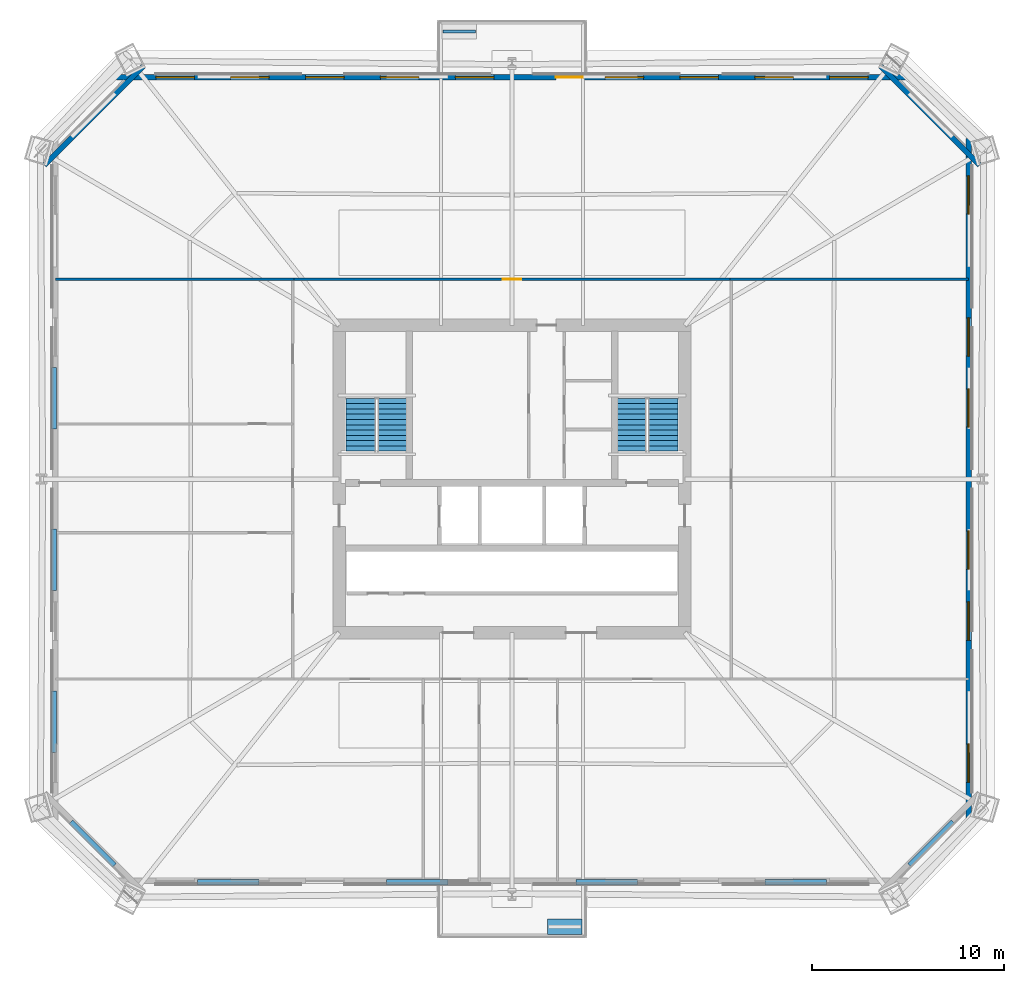
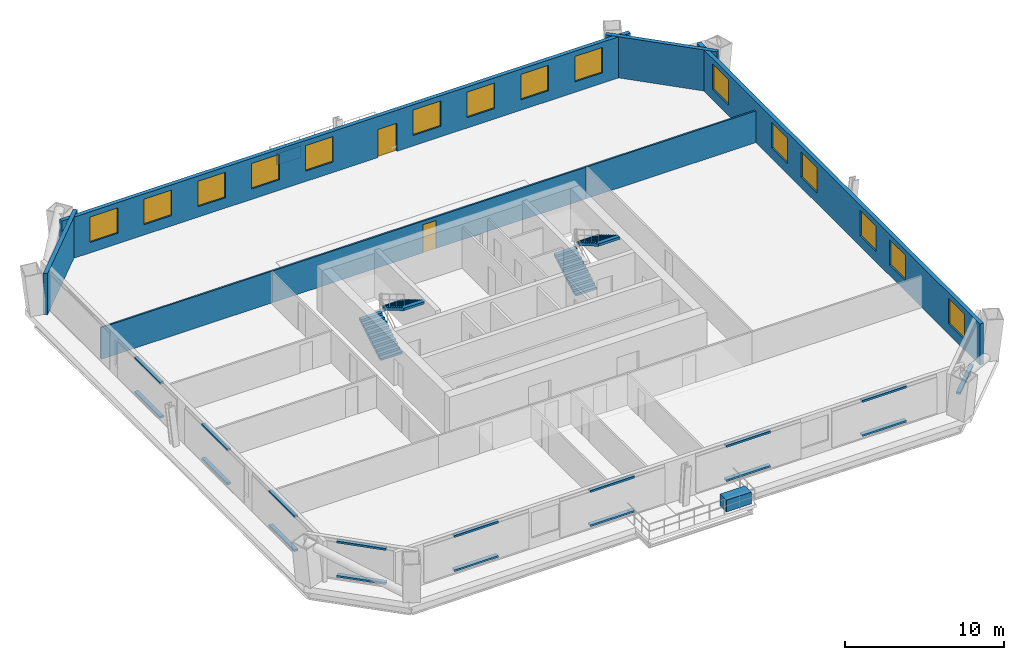
# One storey, part 5 of 8: 18 discrete accessories, 15 windows, 8 walls, 4 stair flights, 2 doors, 17 openings, 2 elements without a shape of their own.
"""IFC4 building model written with IfcOpenShell, lengths in metres."""

from ifc_helpers import new_model, si_unit, direction, frame, frame_2d, origin, origin_2d, place, context, subcontext, project, spatial, polyline, rectangle, outline, extrude, material, layer, layer_set, type_object, element, fill, aggregate, save


model = new_model("IFC4")

# Units and contexts
model_context = context("Model", 3, precision=1e-05, world=origin(), true_north=direction((0.0, 1.0)))
body_context = subcontext(model_context, "Body", "Model", "MODEL_VIEW")
ifc_project = project(units=[si_unit("LENGTHUNIT", "METRE"), si_unit("AREAUNIT", "SQUARE_METRE"), si_unit("VOLUMEUNIT", "CUBIC_METRE"), si_unit("PLANEANGLEUNIT", "RADIAN"), si_unit("MASSUNIT", "GRAM", prefix="KILO")], contexts=[model_context])

# Site, building, storey
site_placement = place(None, origin())
site = spatial("IfcSite", under=ifc_project, at=site_placement, CompositionType="ELEMENT")
building_placement = place(site_placement, origin())
building = spatial("IfcBuilding", under=site, at=building_placement, Name="Caelvoria Tower", CompositionType="ELEMENT")
storey_placement = place(building_placement, frame((0.0, 0.0, 46.0)))
storey = spatial("IfcBuildingStorey", under=building, at=storey_placement, Name="L11", CompositionType="ELEMENT", Elevation=46.0)

# Wall
ifc_material_1 = material(Name="Bronze-Clad Concrete C40/50", Category="concrete")
ifc_layer_1 = layer(ifc_material_1, 0.179931640625, Name="Bronze-Clad Concrete C40/50")
ifc_layer_set_1 = layer_set([ifc_layer_1], Name="Architectural Planter Kerb Wall 180 - Bronze-Clad Concrete C40/50")
wall_type_1 = type_object("IfcWallType", Name="Architectural Planter Kerb Wall 180", PredefinedType="PARAPET", material=ifc_layer_set_1)
wall_1_placement = place(storey_placement, frame((42.39990234375, 55.300048828125, 0.0), z_axis=(0.0, 0.0, 1.0), x_axis=(1.0, 0.0, 0.0)))
element("IfcWall", 1, at=wall_1_placement, inside=storey, type_object=wall_type_1, Name="Tree Balcony Planter Kerb PLANTER TB-L11-N", PredefinedType="PARAPET", context=body_context, shape_type="SweptSolid", body=[
    extrude(rectangle(XDim=1.7001953125, YDim=0.179931640625, at=frame_2d((0.85009765625, 0.0))), origin(), (0.0, 0.0, 1.0), 0.8798828125),
])

# Wall, openings, windows
ifc_material_2 = material(Name="Precast Concrete C40/50 with Bronze Cladding", Category="concrete")
ifc_layer_2 = layer(ifc_material_2, 0.280029296875, Name="Precast Concrete C40/50 with Bronze Cladding")
ifc_layer_set_2 = layer_set([ifc_layer_2], Name="Exterior Precast Concrete C40/50 Bronze-Clad Facade Wall 280 - Precast Concrete C40/50 with Bronze Cladding")
wall_type_2 = type_object("IfcWallType", Name="Exterior Precast Concrete C40/50 Bronze-Clad Facade Wall 280", PredefinedType="STANDARD", material=ifc_layer_set_2)
wall_2_placement = place(storey_placement, frame((69.77001953125, 14.260009765625, 0.0), z_axis=(0.0, 0.0, 1.0), x_axis=(0.0, 1.0, 0.0)))
wall_2 = element("IfcWall", 2, at=wall_2_placement, inside=storey, type_object=wall_type_2, Name="Exterior Facade Wall L11-E2", PredefinedType="STANDARD", context=body_context, shape_type="SweptSolid", body=[
    extrude(rectangle(XDim=35.47998046875, YDim=0.280029296875, at=frame_2d((17.739990234375, 0.0))), origin(), (0.0, 0.0, 1.0), 3.14990234375),
])
opening_1_placement = place(wall_2_placement, frame((1.948974609375, 0.0, 0.800048828125)))
opening_1 = element("IfcOpeningElement", 3, at=opening_1_placement, cuts=wall_2, Name="Opening WN-01", PredefinedType="OPENING", context=body_context, shape_type="SweptSolid", body=[
    extrude(rectangle(XDim=2.0, YDim=1.949951171875, at=frame_2d((1.0, 0.97509765625))), frame((0.0, 0.14990234375, 0.0), z_axis=(0.0, -1.0, 0.0), x_axis=(1.0, 0.0, 0.0)), (0.0, 0.0, 1.0), 0.300048828125),
])
opening_2_placement = place(wall_2_placement, frame((9.344482421875, 0.0, 0.800048828125)))
opening_2 = element("IfcOpeningElement", 4, at=opening_2_placement, cuts=wall_2, Name="Opening WN-01", PredefinedType="OPENING", context=body_context, shape_type="SweptSolid", body=[
    extrude(rectangle(XDim=2.0, YDim=1.949951171875, at=frame_2d((1.0, 0.97509765625))), frame((0.0, 0.14990234375, 0.0), z_axis=(0.0, -1.0, 0.0), x_axis=(1.0, 0.0, 0.0)), (0.0, 0.0, 1.0), 0.300048828125),
])
opening_3_placement = place(wall_2_placement, frame((13.042236328125, 0.0, 0.800048828125)))
opening_3 = element("IfcOpeningElement", 5, at=opening_3_placement, cuts=wall_2, Name="Opening WN-01", PredefinedType="OPENING", context=body_context, shape_type="SweptSolid", body=[
    extrude(rectangle(XDim=2.0, YDim=1.949951171875, at=frame_2d((1.0, 0.97509765625))), frame((0.0, 0.14990234375, 0.0), z_axis=(0.0, -1.0, 0.0), x_axis=(1.0, 0.0, 0.0)), (0.0, 0.0, 1.0), 0.300048828125),
])
opening_4_placement = place(wall_2_placement, frame((20.437744140625, 0.0, 0.800048828125)))
opening_4 = element("IfcOpeningElement", 6, at=opening_4_placement, cuts=wall_2, Name="Opening WN-01", PredefinedType="OPENING", context=body_context, shape_type="SweptSolid", body=[
    extrude(rectangle(XDim=2.0, YDim=1.949951171875, at=frame_2d((1.0, 0.97509765625))), frame((0.0, 0.14990234375, 0.0), z_axis=(0.0, -1.0, 0.0), x_axis=(1.0, 0.0, 0.0)), (0.0, 0.0, 1.0), 0.300048828125),
])
opening_5_placement = place(wall_2_placement, frame((24.135498046875, 0.0, 0.800048828125)))
opening_5 = element("IfcOpeningElement", 7, at=opening_5_placement, cuts=wall_2, Name="Opening WN-01", PredefinedType="OPENING", context=body_context, shape_type="SweptSolid", body=[
    extrude(rectangle(XDim=2.0, YDim=1.949951171875, at=frame_2d((1.0, 0.97509765625))), frame((0.0, 0.14990234375, 0.0), z_axis=(0.0, -1.0, 0.0), x_axis=(1.0, 0.0, 0.0)), (0.0, 0.0, 1.0), 0.300048828125),
])
opening_6_placement = place(wall_2_placement, frame((31.531005859375, 0.0, 0.800048828125)))
opening_6 = element("IfcOpeningElement", 8, at=opening_6_placement, cuts=wall_2, Name="Opening WN-01", PredefinedType="OPENING", context=body_context, shape_type="SweptSolid", body=[
    extrude(rectangle(XDim=2.0, YDim=1.949951171875, at=frame_2d((1.0, 0.97509765625))), frame((0.0, 0.14990234375, 0.0), z_axis=(0.0, -1.0, 0.0), x_axis=(1.0, 0.0, 0.0)), (0.0, 0.0, 1.0), 0.300048828125),
])
ifc_material_3 = material(Name="Low-E Tinted Glass in Bronze Aluminium Frame", Category="aluminium")
window_type = type_object("IfcWindowType", Name="Tower Office Vision Window 2000x1950", PartitioningType="SINGLE_PANEL", PredefinedType="WINDOW", material=ifc_material_3)
window_1_placement = place(opening_1_placement, origin())
window_1 = element("IfcWindow", 9, at=window_1_placement, inside=storey, type_object=window_type, Name="Facade Window L11-E2-00", OverallHeight=1.949951171875, OverallWidth=2.0, PartitioningType="SINGLE_PANEL", PredefinedType="WINDOW", context=body_context, shape_type="SweptSolid", body=[
    extrude(rectangle(XDim=2.0, YDim=1.949951171875, at=frame_2d((1.0, 0.97509765625))), frame((0.0, 0.030029296875, 0.0), z_axis=(0.0, -1.0, 0.0), x_axis=(1.0, 0.0, 0.0)), (0.0, 0.0, 1.0), 0.06005859375),
])
fill(opening_1, window_1)
window_2_placement = place(opening_2_placement, origin())
window_2 = element("IfcWindow", 10, at=window_2_placement, inside=storey, type_object=window_type, Name="Facade Window L11-E2-02", OverallHeight=1.949951171875, OverallWidth=2.0, PartitioningType="SINGLE_PANEL", PredefinedType="WINDOW", context=body_context, shape_type="SweptSolid", body=[
    extrude(rectangle(XDim=2.0, YDim=1.949951171875, at=frame_2d((1.0, 0.97509765625))), frame((0.0, 0.030029296875, 0.0), z_axis=(0.0, -1.0, 0.0), x_axis=(1.0, 0.0, 0.0)), (0.0, 0.0, 1.0), 0.06005859375),
])
fill(opening_2, window_2)
window_3_placement = place(opening_3_placement, origin())
window_3 = element("IfcWindow", 11, at=window_3_placement, inside=storey, type_object=window_type, Name="Facade Window L11-E2-03", OverallHeight=1.949951171875, OverallWidth=2.0, PartitioningType="SINGLE_PANEL", PredefinedType="WINDOW", context=body_context, shape_type="SweptSolid", body=[
    extrude(rectangle(XDim=2.0, YDim=1.949951171875, at=frame_2d((1.0, 0.97509765625))), frame((0.0, 0.030029296875, 0.0), z_axis=(0.0, -1.0, 0.0), x_axis=(1.0, 0.0, 0.0)), (0.0, 0.0, 1.0), 0.06005859375),
])
fill(opening_3, window_3)
window_4_placement = place(opening_4_placement, origin())
window_4 = element("IfcWindow", 12, at=window_4_placement, inside=storey, type_object=window_type, Name="Facade Window L11-E2-05", OverallHeight=1.949951171875, OverallWidth=2.0, PartitioningType="SINGLE_PANEL", PredefinedType="WINDOW", context=body_context, shape_type="SweptSolid", body=[
    extrude(rectangle(XDim=2.0, YDim=1.949951171875, at=frame_2d((1.0, 0.97509765625))), frame((0.0, 0.030029296875, 0.0), z_axis=(0.0, -1.0, 0.0), x_axis=(1.0, 0.0, 0.0)), (0.0, 0.0, 1.0), 0.06005859375),
])
fill(opening_4, window_4)
window_5_placement = place(opening_5_placement, origin())
window_5 = element("IfcWindow", 13, at=window_5_placement, inside=storey, type_object=window_type, Name="Facade Window L11-E2-06", OverallHeight=1.949951171875, OverallWidth=2.0, PartitioningType="SINGLE_PANEL", PredefinedType="WINDOW", context=body_context, shape_type="SweptSolid", body=[
    extrude(rectangle(XDim=2.0, YDim=1.949951171875, at=frame_2d((1.0, 0.97509765625))), frame((0.0, 0.030029296875, 0.0), z_axis=(0.0, -1.0, 0.0), x_axis=(1.0, 0.0, 0.0)), (0.0, 0.0, 1.0), 0.06005859375),
])
fill(opening_5, window_5)
window_6_placement = place(opening_6_placement, origin())
window_6 = element("IfcWindow", 14, at=window_6_placement, inside=storey, type_object=window_type, Name="Facade Window L11-E2-08", OverallHeight=1.949951171875, OverallWidth=2.0, PartitioningType="SINGLE_PANEL", PredefinedType="WINDOW", context=body_context, shape_type="SweptSolid", body=[
    extrude(rectangle(XDim=2.0, YDim=1.949951171875, at=frame_2d((1.0, 0.97509765625))), frame((0.0, 0.030029296875, 0.0), z_axis=(0.0, -1.0, 0.0), x_axis=(1.0, 0.0, 0.0)), (0.0, 0.0, 1.0), 0.06005859375),
])
fill(opening_6, window_6)

# Wall
wall_3_placement = place(storey_placement, frame((70.343994140625, 48.3544921875, 0.0), z_axis=(0.0, 0.0, 1.0), x_axis=(-0.707106781187, 0.707106781187, 0.0)))
element("IfcWall", 15, at=wall_3_placement, inside=storey, type_object=wall_type_2, Name="Exterior Facade Wall L11-E3", PredefinedType="STANDARD", context=body_context, shape_type="SweptSolid", body=[
    extrude(rectangle(XDim=7.268310546875, YDim=0.280029296875, at=frame_2d((3.63427734375, 0.0))), origin(), (0.0, 0.0, 1.0), 3.14990234375),
])

# Wall, openings, windows, door
wall_4_placement = place(storey_placement, frame((66.590087890625, 52.919921875, 0.0), z_axis=(0.0, 0.0, 1.0), x_axis=(-1.0, 0.0, 0.0)))
wall_4 = element("IfcWall", 16, at=wall_4_placement, inside=storey, type_object=wall_type_2, Name="Exterior Facade Wall L11-E4", PredefinedType="STANDARD", context=body_context, shape_type="SweptSolid", body=[
    extrude(rectangle(XDim=41.18017578125, YDim=0.280029296875, at=frame_2d((20.590087890625, 0.0))), origin(), (0.0, 0.0, 1.0), 3.14990234375),
])
opening_7_placement = place(wall_4_placement, frame((16.909912109375, 0.0, 0.0)))
opening_7 = element("IfcOpeningElement", 17, at=opening_7_placement, cuts=wall_4, Name="Opening ED-04", PredefinedType="OPENING", context=body_context, shape_type="SweptSolid", body=[
    extrude(rectangle(XDim=1.39990234375, YDim=2.14990234375, at=frame_2d((0.699951171875, 1.074951171875))), frame((0.0, 0.14990234375, 0.0), z_axis=(0.0, -1.0, 0.0), x_axis=(1.0, 0.0, 0.0)), (0.0, 0.0, 1.0), 0.300048828125),
])
opening_8_placement = place(wall_4_placement, frame((2.049072265625, 0.0, 0.800048828125)))
opening_8 = element("IfcOpeningElement", 18, at=opening_8_placement, cuts=wall_4, Name="Opening WN-01", PredefinedType="OPENING", context=body_context, shape_type="SweptSolid", body=[
    extrude(rectangle(XDim=2.0, YDim=1.949951171875, at=frame_2d((1.0, 0.97509765625))), frame((0.0, 0.14990234375, 0.0), z_axis=(0.0, -1.0, 0.0), x_axis=(1.0, 0.0, 0.0)), (0.0, 0.0, 1.0), 0.300048828125),
])
opening_9_placement = place(wall_4_placement, frame((5.947021484375, 0.0, 0.800048828125)))
opening_9 = element("IfcOpeningElement", 19, at=opening_9_placement, cuts=wall_4, Name="Opening WN-01", PredefinedType="OPENING", context=body_context, shape_type="SweptSolid", body=[
    extrude(rectangle(XDim=2.0, YDim=1.949951171875, at=frame_2d((1.0, 0.97509765625))), frame((0.0, 0.14990234375, 0.0), z_axis=(0.0, -1.0, 0.0), x_axis=(1.0, 0.0, 0.0)), (0.0, 0.0, 1.0), 0.300048828125),
])
opening_10_placement = place(wall_4_placement, frame((9.844970703125, 0.0, 0.800048828125)))
opening_10 = element("IfcOpeningElement", 20, at=opening_10_placement, cuts=wall_4, Name="Opening WN-01", PredefinedType="OPENING", context=body_context, shape_type="SweptSolid", body=[
    extrude(rectangle(XDim=2.0, YDim=1.949951171875, at=frame_2d((1.0, 0.97509765625))), frame((0.0, 0.14990234375, 0.0), z_axis=(0.0, -1.0, 0.0), x_axis=(1.0, 0.0, 0.0)), (0.0, 0.0, 1.0), 0.300048828125),
])
opening_11_placement = place(wall_4_placement, frame((13.742919921875, 0.0, 0.800048828125)))
opening_11 = element("IfcOpeningElement", 21, at=opening_11_placement, cuts=wall_4, Name="Opening WN-01", PredefinedType="OPENING", context=body_context, shape_type="SweptSolid", body=[
    extrude(rectangle(XDim=2.0, YDim=1.949951171875, at=frame_2d((1.0, 0.97509765625))), frame((0.0, 0.14990234375, 0.0), z_axis=(0.0, -1.0, 0.0), x_axis=(1.0, 0.0, 0.0)), (0.0, 0.0, 1.0), 0.300048828125),
])
opening_12_placement = place(wall_4_placement, frame((21.5390625, 0.0, 0.800048828125)))
opening_12 = element("IfcOpeningElement", 22, at=opening_12_placement, cuts=wall_4, Name="Opening WN-01", PredefinedType="OPENING", context=body_context, shape_type="SweptSolid", body=[
    extrude(rectangle(XDim=2.0, YDim=1.949951171875, at=frame_2d((1.0, 0.97509765625))), frame((0.0, 0.14990234375, 0.0), z_axis=(0.0, -1.0, 0.0), x_axis=(1.0, 0.0, 0.0)), (0.0, 0.0, 1.0), 0.300048828125),
])
opening_13_placement = place(wall_4_placement, frame((25.43701171875, 0.0, 0.800048828125)))
opening_13 = element("IfcOpeningElement", 23, at=opening_13_placement, cuts=wall_4, Name="Opening WN-01", PredefinedType="OPENING", context=body_context, shape_type="SweptSolid", body=[
    extrude(rectangle(XDim=2.0, YDim=1.949951171875, at=frame_2d((1.0, 0.97509765625))), frame((0.0, 0.14990234375, 0.0), z_axis=(0.0, -1.0, 0.0), x_axis=(1.0, 0.0, 0.0)), (0.0, 0.0, 1.0), 0.300048828125),
])
opening_14_placement = place(wall_4_placement, frame((29.3349609375, 0.0, 0.800048828125)))
opening_14 = element("IfcOpeningElement", 24, at=opening_14_placement, cuts=wall_4, Name="Opening WN-01", PredefinedType="OPENING", context=body_context, shape_type="SweptSolid", body=[
    extrude(rectangle(XDim=2.0, YDim=1.949951171875, at=frame_2d((1.0, 0.97509765625))), frame((0.0, 0.14990234375, 0.0), z_axis=(0.0, -1.0, 0.0), x_axis=(1.0, 0.0, 0.0)), (0.0, 0.0, 1.0), 0.300048828125),
])
opening_15_placement = place(wall_4_placement, frame((33.23291015625, 0.0, 0.800048828125)))
opening_15 = element("IfcOpeningElement", 25, at=opening_15_placement, cuts=wall_4, Name="Opening WN-01", PredefinedType="OPENING", context=body_context, shape_type="SweptSolid", body=[
    extrude(rectangle(XDim=2.0, YDim=1.949951171875, at=frame_2d((1.0, 0.97509765625))), frame((0.0, 0.14990234375, 0.0), z_axis=(0.0, -1.0, 0.0), x_axis=(1.0, 0.0, 0.0)), (0.0, 0.0, 1.0), 0.300048828125),
])
opening_16_placement = place(wall_4_placement, frame((37.131103515625, 0.0, 0.800048828125)))
opening_16 = element("IfcOpeningElement", 26, at=opening_16_placement, cuts=wall_4, Name="Opening WN-01", PredefinedType="OPENING", context=body_context, shape_type="SweptSolid", body=[
    extrude(rectangle(XDim=2.0, YDim=1.949951171875, at=frame_2d((1.0, 0.97509765625))), frame((0.0, 0.14990234375, 0.0), z_axis=(0.0, -1.0, 0.0), x_axis=(1.0, 0.0, 0.0)), (0.0, 0.0, 1.0), 0.300048828125),
])
window_7_placement = place(opening_8_placement, origin())
window_7 = element("IfcWindow", 27, at=window_7_placement, inside=storey, type_object=window_type, Name="Facade Window L11-E4-00", OverallHeight=1.949951171875, OverallWidth=2.0, PartitioningType="SINGLE_PANEL", PredefinedType="WINDOW", context=body_context, shape_type="SweptSolid", body=[
    extrude(rectangle(XDim=2.0, YDim=1.949951171875, at=frame_2d((1.0, 0.97509765625))), frame((0.0, 0.030029296875, 0.0), z_axis=(0.0, -1.0, 0.0), x_axis=(1.0, 0.0, 0.0)), (0.0, 0.0, 1.0), 0.06005859375),
])
fill(opening_8, window_7)
window_8_placement = place(opening_9_placement, origin())
window_8 = element("IfcWindow", 28, at=window_8_placement, inside=storey, type_object=window_type, Name="Facade Window L11-E4-01", OverallHeight=1.949951171875, OverallWidth=2.0, PartitioningType="SINGLE_PANEL", PredefinedType="WINDOW", context=body_context, shape_type="SweptSolid", body=[
    extrude(rectangle(XDim=2.0, YDim=1.949951171875, at=frame_2d((1.0, 0.97509765625))), frame((0.0, 0.030029296875, 0.0), z_axis=(0.0, -1.0, 0.0), x_axis=(1.0, 0.0, 0.0)), (0.0, 0.0, 1.0), 0.06005859375),
])
fill(opening_9, window_8)
window_9_placement = place(opening_10_placement, origin())
window_9 = element("IfcWindow", 29, at=window_9_placement, inside=storey, type_object=window_type, Name="Facade Window L11-E4-02", OverallHeight=1.949951171875, OverallWidth=2.0, PartitioningType="SINGLE_PANEL", PredefinedType="WINDOW", context=body_context, shape_type="SweptSolid", body=[
    extrude(rectangle(XDim=2.0, YDim=1.949951171875, at=frame_2d((1.0, 0.97509765625))), frame((0.0, 0.030029296875, 0.0), z_axis=(0.0, -1.0, 0.0), x_axis=(1.0, 0.0, 0.0)), (0.0, 0.0, 1.0), 0.06005859375),
])
fill(opening_10, window_9)
window_10_placement = place(opening_11_placement, origin())
window_10 = element("IfcWindow", 30, at=window_10_placement, inside=storey, type_object=window_type, Name="Facade Window L11-E4-03", OverallHeight=1.949951171875, OverallWidth=2.0, PartitioningType="SINGLE_PANEL", PredefinedType="WINDOW", context=body_context, shape_type="SweptSolid", body=[
    extrude(rectangle(XDim=2.0, YDim=1.949951171875, at=frame_2d((1.0, 0.97509765625))), frame((0.0, 0.030029296875, 0.0), z_axis=(0.0, -1.0, 0.0), x_axis=(1.0, 0.0, 0.0)), (0.0, 0.0, 1.0), 0.06005859375),
])
fill(opening_11, window_10)
window_11_placement = place(opening_12_placement, origin())
window_11 = element("IfcWindow", 31, at=window_11_placement, inside=storey, type_object=window_type, Name="Facade Window L11-E4-05", OverallHeight=1.949951171875, OverallWidth=2.0, PartitioningType="SINGLE_PANEL", PredefinedType="WINDOW", context=body_context, shape_type="SweptSolid", body=[
    extrude(rectangle(XDim=2.0, YDim=1.949951171875, at=frame_2d((1.0, 0.97509765625))), frame((0.0, 0.030029296875, 0.0), z_axis=(0.0, -1.0, 0.0), x_axis=(1.0, 0.0, 0.0)), (0.0, 0.0, 1.0), 0.06005859375),
])
fill(opening_12, window_11)
window_12_placement = place(opening_13_placement, origin())
window_12 = element("IfcWindow", 32, at=window_12_placement, inside=storey, type_object=window_type, Name="Facade Window L11-E4-06", OverallHeight=1.949951171875, OverallWidth=2.0, PartitioningType="SINGLE_PANEL", PredefinedType="WINDOW", context=body_context, shape_type="SweptSolid", body=[
    extrude(rectangle(XDim=2.0, YDim=1.949951171875, at=frame_2d((1.0, 0.97509765625))), frame((0.0, 0.030029296875, 0.0), z_axis=(0.0, -1.0, 0.0), x_axis=(1.0, 0.0, 0.0)), (0.0, 0.0, 1.0), 0.06005859375),
])
fill(opening_13, window_12)
window_13_placement = place(opening_14_placement, origin())
window_13 = element("IfcWindow", 33, at=window_13_placement, inside=storey, type_object=window_type, Name="Facade Window L11-E4-07", OverallHeight=1.949951171875, OverallWidth=2.0, PartitioningType="SINGLE_PANEL", PredefinedType="WINDOW", context=body_context, shape_type="SweptSolid", body=[
    extrude(rectangle(XDim=2.0, YDim=1.949951171875, at=frame_2d((1.0, 0.97509765625))), frame((0.0, 0.030029296875, 0.0), z_axis=(0.0, -1.0, 0.0), x_axis=(1.0, 0.0, 0.0)), (0.0, 0.0, 1.0), 0.06005859375),
])
fill(opening_14, window_13)
window_14_placement = place(opening_15_placement, origin())
window_14 = element("IfcWindow", 34, at=window_14_placement, inside=storey, type_object=window_type, Name="Facade Window L11-E4-08", OverallHeight=1.949951171875, OverallWidth=2.0, PartitioningType="SINGLE_PANEL", PredefinedType="WINDOW", context=body_context, shape_type="SweptSolid", body=[
    extrude(rectangle(XDim=2.0, YDim=1.949951171875, at=frame_2d((1.0, 0.97509765625))), frame((0.0, 0.030029296875, 0.0), z_axis=(0.0, -1.0, 0.0), x_axis=(1.0, 0.0, 0.0)), (0.0, 0.0, 1.0), 0.06005859375),
])
fill(opening_15, window_14)
window_15_placement = place(opening_16_placement, origin())
window_15 = element("IfcWindow", 35, at=window_15_placement, inside=storey, type_object=window_type, Name="Facade Window L11-E4-09", OverallHeight=1.949951171875, OverallWidth=2.0, PartitioningType="SINGLE_PANEL", PredefinedType="WINDOW", context=body_context, shape_type="SweptSolid", body=[
    extrude(rectangle(XDim=2.0, YDim=1.949951171875, at=frame_2d((1.0, 0.97509765625))), frame((0.0, 0.030029296875, 0.0), z_axis=(0.0, -1.0, 0.0), x_axis=(1.0, 0.0, 0.0)), (0.0, 0.0, 1.0), 0.06005859375),
])
fill(opening_16, window_15)
ifc_material_4 = material(Name="Anodised Bronze Aluminium and Laminated Glass", Category="aluminium")
door_type_1 = type_object("IfcDoorType", Name="Tree Balcony Glazed Door 1400x2150", OperationType="NOTDEFINED", PredefinedType="DOOR", material=ifc_material_4)
door_1_placement = place(opening_7_placement, origin())
door_1 = element("IfcDoor", 36, at=door_1_placement, inside=storey, type_object=door_type_1, Name="Tree Balcony Door L11-N", OperationType="SINGLE_SWING_RIGHT", OverallHeight=2.14990234375, OverallWidth=1.39990234375, PredefinedType="DOOR", context=body_context, shape_type="SweptSolid", body=[
    extrude(rectangle(XDim=1.39990234375, YDim=2.14990234375, at=frame_2d((0.699951171875, 1.074951171875))), frame((0.0, 0.02490234375, 0.0), z_axis=(0.0, -1.0, 0.0), x_axis=(1.0, 0.0, 0.0)), (0.0, 0.0, 1.0), 0.050048828125),
])
fill(opening_7, door_1)

# Wall
wall_5_placement = place(storey_placement, frame((26.79541015625, 53.493896484375, 0.0), z_axis=(0.0, 0.0, 1.0), x_axis=(-0.707106781187, -0.707106781187, 0.0)))
element("IfcWall", 37, at=wall_5_placement, inside=storey, type_object=wall_type_2, Name="Exterior Facade Wall L11-E5", PredefinedType="STANDARD", context=body_context, shape_type="SweptSolid", body=[
    extrude(rectangle(XDim=7.268310546875, YDim=0.280029296875, at=frame_2d((3.63427734375, 0.0))), origin(), (0.0, 0.0, 1.0), 3.14990234375),
])

# Wall, opening, door
ifc_material_5 = material(Name="Acoustic Gypsum Board on Light-Gauge Stud", Category="gypsum")
ifc_layer_3 = layer(ifc_material_5, 0.1201171875, Name="Acoustic Gypsum Board on Light-Gauge Stud")
ifc_layer_set_3 = layer_set([ifc_layer_3], Name="Tenant Suite Acoustic Partition Wall 120 - Acoustic Gypsum Board on Light-Gauge Stud")
wall_type_3 = type_object("IfcWallType", Name="Tenant Suite Acoustic Partition Wall 120", PredefinedType="PARTITIONING", material=ifc_layer_set_3)
wall_6_placement = place(storey_placement, frame((34.64990234375, 42.409912109375, 0.0), z_axis=(0.0, 0.0, 1.0), x_axis=(1.0, 0.0, 0.0)))
wall_6 = element("IfcWall", 38, at=wall_6_placement, inside=storey, type_object=wall_type_3, Name="Interior Partition IW-L11-NCW-0", PredefinedType="PARTITIONING", context=body_context, shape_type="SweptSolid", body=[
    extrude(rectangle(XDim=22.7001953125, YDim=0.1201171875, at=frame_2d((11.35009765625, 0.0))), origin(), (0.0, 0.0, 1.0), 2.429931640625),
])
opening_17_placement = place(wall_6_placement, frame((10.875, 0.0, 0.0)))
opening_17 = element("IfcOpeningElement", 39, at=opening_17_placement, cuts=wall_6, Name="Opening ID-05", PredefinedType="OPENING", context=body_context, shape_type="SweptSolid", body=[
    extrude(rectangle(XDim=0.949951171875, YDim=2.14990234375, at=frame_2d((0.47509765625, 1.074951171875))), frame((0.0, 0.070068359375, 0.0), z_axis=(0.0, -1.0, 0.0), x_axis=(1.0, 0.0, 0.0)), (0.0, 0.0, 1.0), 0.14013671875),
])
ifc_material_6 = material(Name="Engineered Andean Oak Veneer Door", Category="wood")
door_type_2 = type_object("IfcDoorType", Name="Interior Timber Door 950x2150", OperationType="NOTDEFINED", PredefinedType="DOOR", material=ifc_material_6)
door_2_placement = place(opening_17_placement, origin())
door_2 = element("IfcDoor", 40, at=door_2_placement, inside=storey, type_object=door_type_2, Name="Interior Door DR-L11-NC-00-0", OperationType="SINGLE_SWING_RIGHT", OverallHeight=2.14990234375, OverallWidth=0.949951171875, PredefinedType="DOOR", context=body_context, shape_type="SweptSolid", body=[
    extrude(rectangle(XDim=0.949951171875, YDim=2.14990234375, at=frame_2d((0.47509765625, 1.074951171875))), frame((0.0, 0.02490234375, 0.0), z_axis=(0.0, -1.0, 0.0), x_axis=(1.0, 0.0, 0.0)), (0.0, 0.0, 1.0), 0.050048828125),
])
fill(opening_17, door_2)

# Walls
for number, where, z_axis, x_axis, name in (
    (41, (34.64990234375, 42.409912109375, 0.0), (0.0, 0.0, 1.0), (-1.0, 0.0, 0.0), "Interior Partition IW-L11-BNW-0"),
    (42, (57.35009765625, 42.409912109375, 0.0), (0.0, 0.0, 1.0), (1.0, 0.0, 0.0), "Interior Partition IW-L11-BNE-0"),
):
    element("IfcWall", number, at=place(storey_placement, frame(where, z_axis=z_axis, x_axis=x_axis)), inside=storey, type_object=wall_type_3, Name=name, PredefinedType="PARTITIONING", context=body_context, shape_type="SweptSolid", body=[
        extrude(rectangle(XDim=12.419921875, YDim=0.1201171875, at=frame_2d((6.2099609375, 0.0))), origin(), (0.0, 0.0, 1.0), 2.429931640625),
    ])

# Stair, stair flights
ifc_material_7 = material(Name="Concrete C40/50", Category="concrete")
stair_type = type_object("IfcStairType", Name="Core Smokeproof Dogleg Stair Concrete C40/50", PredefinedType="HALF_TURN_STAIR", material=ifc_material_7)
stair_1_placement = place(storey_placement, origin())
stair_1 = element("IfcStair", 43, at=stair_1_placement, inside=storey, type_object=stair_type, Name="ST-01 Smokeproof Exit Stair L11", PredefinedType="HALF_TURN_STAIR")
ifc_material_8 = material(Name="Precast Concrete C40/50", Category="concrete")
stair_flight_type = type_object("IfcStairFlightType", Name="Precast Concrete C40/50 Stair Flight 1480", PredefinedType="STRAIGHT", material=ifc_material_8)
stair_flight_1_placement = place(storey_placement, frame((38.1298828125, 33.449951171875, 0.0), z_axis=(0.0, 0.0, 1.0), x_axis=(0.0, 1.0, 0.0)))
stair_flight_1 = element("IfcStairFlight", 44, at=stair_flight_1_placement, type_object=stair_flight_type, Name="ST-01 flight 1", NumberOfRisers=11, NumberOfTreads=10, PredefinedType="STRAIGHT", RiserHeight=0.1636, TreadLength=0.275, context=body_context, shape_type="SweptSolid", body=[
    extrude(outline(polyline([(0.0, 0.0), (0.0, 0.16357421875), (0.27490234375, 0.16357421875), (0.27490234375, 0.3271484375), (0.550048828125, 0.3271484375), (0.550048828125, 0.49072265625), (0.824951171875, 0.49072265625), (0.824951171875, 0.654296875), (1.10009765625, 0.654296875), (1.10009765625, 0.818115234375), (1.375, 0.818115234375), (1.375, 0.981689453125), (1.64990234375, 0.981689453125), (1.64990234375, 1.145263671875), (1.925048828125, 1.145263671875), (1.925048828125, 1.308837890625), (2.199951171875, 1.308837890625), (2.199951171875, 1.472412109375), (2.47509765625, 1.472412109375), (2.47509765625, 1.635986328125), (2.75, 1.635986328125), (2.75, 1.799560546875), (2.75, 1.449951171875), (0.312744140625, 0.0), (0.0, 0.0)])), frame((0.0, 0.77001953125, 0.0), z_axis=(0.0, -1.0, 0.0), x_axis=(1.0, 0.0, 0.0)), (0.0, 0.0, 1.0), 1.5400390625),
])
stair_flight_2_placement = place(storey_placement, frame((39.77001953125, 36.199951171875, 1.800048828125), z_axis=(0.0, 0.0, 1.0), x_axis=(0.0, -1.0, 0.0)))
stair_flight_2 = element("IfcStairFlight", 45, at=stair_flight_2_placement, type_object=stair_flight_type, Name="ST-01 flight 2", NumberOfRisers=11, NumberOfTreads=10, PredefinedType="STRAIGHT", RiserHeight=0.1636, TreadLength=0.275, context=body_context, shape_type="SweptSolid", body=[
    extrude(outline(polyline([(0.0, 0.0), (0.0, 0.16357421875), (0.27490234375, 0.16357421875), (0.27490234375, 0.3271484375), (0.550048828125, 0.3271484375), (0.550048828125, 0.49072265625), (0.824951171875, 0.49072265625), (0.824951171875, 0.654296875), (1.10009765625, 0.654296875), (1.10009765625, 0.818115234375), (1.375, 0.818115234375), (1.375, 0.981689453125), (1.64990234375, 0.981689453125), (1.64990234375, 1.145263671875), (1.925048828125, 1.145263671875), (1.925048828125, 1.308837890625), (2.199951171875, 1.308837890625), (2.199951171875, 1.472412109375), (2.47509765625, 1.472412109375), (2.47509765625, 1.635986328125), (2.75, 1.635986328125), (2.75, 1.799560546875), (2.75, 1.449951171875), (0.312744140625, 0.0), (0.0, 0.0)])), frame((0.0, 0.77001953125, 0.0), z_axis=(0.0, -1.0, 0.0), x_axis=(1.0, 0.0, 0.0)), (0.0, 0.0, 1.0), 1.5400390625),
])
aggregate(stair_1, [stair_flight_1, stair_flight_2])

stair_2_placement = place(storey_placement, origin())
stair_2 = element("IfcStair", 46, at=stair_2_placement, inside=storey, type_object=stair_type, Name="ST-02 Smokeproof Exit Stair L11", PredefinedType="HALF_TURN_STAIR")
stair_flight_3_placement = place(storey_placement, frame((52.22998046875, 33.449951171875, 0.0), z_axis=(0.0, 0.0, 1.0), x_axis=(0.0, 1.0, 0.0)))
stair_flight_3 = element("IfcStairFlight", 47, at=stair_flight_3_placement, type_object=stair_flight_type, Name="ST-02 flight 1", NumberOfRisers=11, NumberOfTreads=10, PredefinedType="STRAIGHT", RiserHeight=0.1636, TreadLength=0.275, context=body_context, shape_type="SweptSolid", body=[
    extrude(outline(polyline([(0.0, 0.0), (0.0, 0.16357421875), (0.27490234375, 0.16357421875), (0.27490234375, 0.3271484375), (0.550048828125, 0.3271484375), (0.550048828125, 0.49072265625), (0.824951171875, 0.49072265625), (0.824951171875, 0.654296875), (1.10009765625, 0.654296875), (1.10009765625, 0.818115234375), (1.375, 0.818115234375), (1.375, 0.981689453125), (1.64990234375, 0.981689453125), (1.64990234375, 1.145263671875), (1.925048828125, 1.145263671875), (1.925048828125, 1.308837890625), (2.199951171875, 1.308837890625), (2.199951171875, 1.472412109375), (2.47509765625, 1.472412109375), (2.47509765625, 1.635986328125), (2.75, 1.635986328125), (2.75, 1.799560546875), (2.75, 1.449951171875), (0.312744140625, 0.0), (0.0, 0.0)])), frame((0.0, 0.77001953125, 0.0), z_axis=(0.0, -1.0, 0.0), x_axis=(1.0, 0.0, 0.0)), (0.0, 0.0, 1.0), 1.5400390625),
])
stair_flight_4_placement = place(storey_placement, frame((53.8701171875, 36.199951171875, 1.800048828125), z_axis=(0.0, 0.0, 1.0), x_axis=(0.0, -1.0, 0.0)))
stair_flight_4 = element("IfcStairFlight", 48, at=stair_flight_4_placement, type_object=stair_flight_type, Name="ST-02 flight 2", NumberOfRisers=11, NumberOfTreads=10, PredefinedType="STRAIGHT", RiserHeight=0.1636, TreadLength=0.275, context=body_context, shape_type="SweptSolid", body=[
    extrude(outline(polyline([(0.0, 0.0), (0.0, 0.16357421875), (0.27490234375, 0.16357421875), (0.27490234375, 0.3271484375), (0.550048828125, 0.3271484375), (0.550048828125, 0.49072265625), (0.824951171875, 0.49072265625), (0.824951171875, 0.654296875), (1.10009765625, 0.654296875), (1.10009765625, 0.818115234375), (1.375, 0.818115234375), (1.375, 0.981689453125), (1.64990234375, 0.981689453125), (1.64990234375, 1.145263671875), (1.925048828125, 1.145263671875), (1.925048828125, 1.308837890625), (2.199951171875, 1.308837890625), (2.199951171875, 1.472412109375), (2.47509765625, 1.472412109375), (2.47509765625, 1.635986328125), (2.75, 1.635986328125), (2.75, 1.799560546875), (2.75, 1.449951171875), (0.312744140625, 0.0), (0.0, 0.0)])), frame((0.0, 0.77001953125, 0.0), z_axis=(0.0, -1.0, 0.0), x_axis=(1.0, 0.0, 0.0)), (0.0, 0.0, 1.0), 1.5400390625),
])
aggregate(stair_2, [stair_flight_3, stair_flight_4])

# Discrete accessories
ifc_material_9 = material(Name="Anodised Bronze Stainless Bracket", Category="bronze")
discrete_accessory_type_1 = type_object("IfcDiscreteAccessoryType", Name="Solar Screen Outrigger Support Bracket", PredefinedType="BRACKET", material=ifc_material_9)
for number, where, z_axis, x_axis, name in (
    (49, (31.232421875, 11.0029296875, 0.240234375), (0.0, 0.0, 1.0), (1.0, 0.0, 0.0), "Solar Screen Bracket L11-E0-00"),
    (50, (31.232421875, 11.0029296875, 2.85009765625), (0.0, 0.0, 1.0), (1.0, 0.0, 0.0), "Upper Screen Band Bracket L11-E0-00"),
    (51, (41.077392578125, 11.0029296875, 0.240234375), (0.0, 0.0, 1.0), (1.0, 0.0, 0.0), "Solar Screen Bracket L11-E0-01"),
    (52, (41.077392578125, 11.0029296875, 2.85009765625), (0.0, 0.0, 1.0), (1.0, 0.0, 0.0), "Upper Screen Band Bracket L11-E0-01"),
    (53, (50.922607421875, 11.0029296875, 0.240234375), (0.0, 0.0, 1.0), (1.0, 0.0, 0.0), "Solar Screen Bracket L11-E0-02"),
    (54, (50.922607421875, 11.0029296875, 2.85009765625), (0.0, 0.0, 1.0), (1.0, 0.0, 0.0), "Upper Screen Band Bracket L11-E0-02"),
    (55, (60.767578125, 11.0029296875, 0.240234375), (0.0, 0.0, 1.0), (1.0, 0.0, 0.0), "Solar Screen Bracket L11-E0-03"),
    (56, (60.767578125, 11.0029296875, 2.85009765625), (0.0, 0.0, 1.0), (1.0, 0.0, 0.0), "Upper Screen Band Bracket L11-E0-03"),
    (57, (67.82861328125, 13.021484375, 0.240234375), (0.0, 0.0, 1.0), (0.707106781187, 0.707106781187, 0.0), "Solar Screen Bracket L11-E1-00"),
    (58, (22.153076171875, 36.2099609375, 0.240234375), (0.0, 0.0, 1.0), (0.0, -1.0, 0.0), "Solar Screen Bracket L11-E6-01"),
    (59, (22.153076171875, 36.2099609375, 2.85009765625), (0.0, 0.0, 1.0), (0.0, -1.0, 0.0), "Upper Screen Band Bracket L11-E6-01"),
    (60, (22.153076171875, 27.7900390625, 0.240234375), (0.0, 0.0, 1.0), (0.0, -1.0, 0.0), "Solar Screen Bracket L11-E6-02"),
    (61, (22.153076171875, 27.7900390625, 2.85009765625), (0.0, 0.0, 1.0), (0.0, -1.0, 0.0), "Upper Screen Band Bracket L11-E6-02"),
    (62, (22.153076171875, 19.3701171875, 0.240234375), (0.0, 0.0, 1.0), (0.0, -1.0, 0.0), "Solar Screen Bracket L11-E6-03"),
    (63, (22.153076171875, 19.3701171875, 2.85009765625), (0.0, 0.0, 1.0), (0.0, -1.0, 0.0), "Upper Screen Band Bracket L11-E6-03"),
    (64, (24.17138671875, 13.021484375, 0.240234375), (0.0, 0.0, 1.0), (0.707106781187, -0.707106781187, 0.0), "Solar Screen Bracket L11-E7-00"),
    (65, (24.17138671875, 13.021484375, 2.85009765625), (0.0, 0.0, 1.0), (0.707106781187, -0.707106781187, 0.0), "Upper Screen Band Bracket L11-E7-00"),
):
    element("IfcDiscreteAccessory", number, at=place(storey_placement, frame(where, z_axis=z_axis, x_axis=x_axis)), inside=storey, type_object=discrete_accessory_type_1, Name=name, PredefinedType="BRACKET", context=body_context, shape_type="SweptSolid", body=[
        extrude(rectangle(XDim=3.199951171875, YDim=0.280029296875, at=origin_2d()), origin(), (0.0, 0.0, 1.0), 0.159912109375),
    ])
ifc_material_10 = material(Name="Bronze-Clad Concrete C40/50 Planter Vessel", Category="concrete")
discrete_accessory_type_2 = type_object("IfcDiscreteAccessoryType", Name="Tree Balcony Structural Planter Vessel PLANTER", PredefinedType="USERDEFINED", material=ifc_material_10)
discrete_accessory_placement = place(storey_placement, frame((48.75, 8.699951171875, 0.0), z_axis=(0.0, 0.0, 1.0), x_axis=(1.0, 0.0, 0.0)))
element("IfcDiscreteAccessory", 66, at=discrete_accessory_placement, inside=storey, type_object=discrete_accessory_type_2, Name="Tree Balcony Planter TB-L11-S", ObjectType="PLANTER", PredefinedType="USERDEFINED", context=body_context, shape_type="SweptSolid", body=[
    extrude(rectangle(XDim=1.800048828125, YDim=0.800048828125, at=origin_2d()), origin(), (0.0, 0.0, 1.0), 0.89990234375),
])

save(model, "model.ifc")
